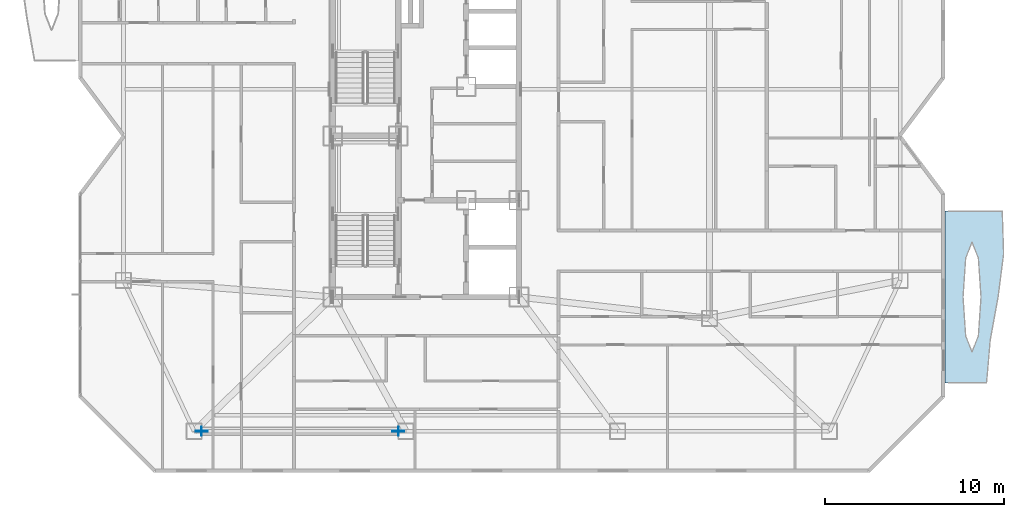
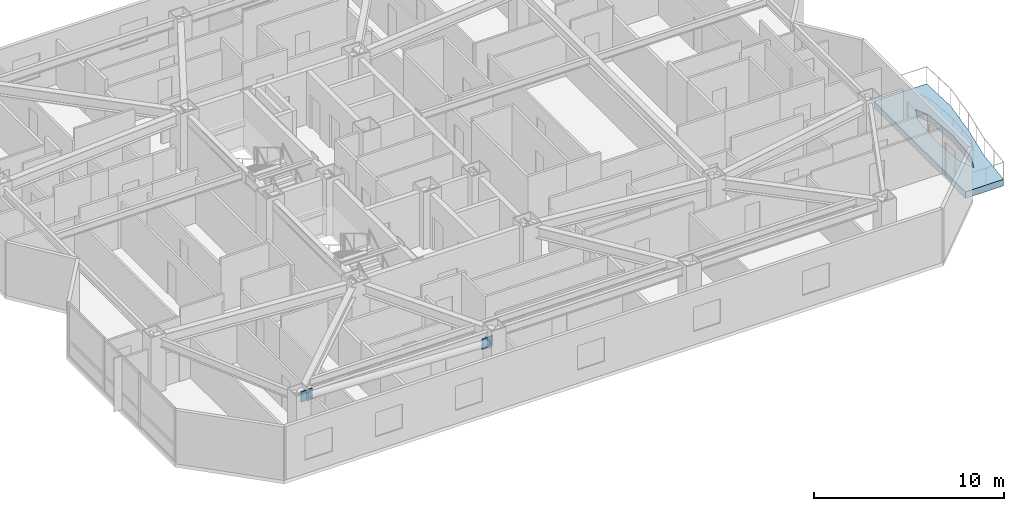
# One storey, part 7 of 16: 4 plates, 1 slab.
"""IFC4 building model written with IfcOpenShell, lengths in metres."""

import ifcopenshell
import ifcopenshell.guid

model = None  # the IFC model being written
_history = None  # IfcOwnerHistory: only IFC2X3 demands one
_inside = {}  # id of a spatial element -> (the spatial element, [elements in it])
_under = {}  # id of a project, library or spatial element -> (it, [spatial elements below it])
_declared = {}  # id of a project -> (the project, [libraries it declares])
_typed = {}  # id of a type object -> (the type object, [elements of that type])
_made_of = {}  # id of a material, layer set ... -> (it, [elements and type objects made of it])


def new_model(schema):
    """Start an empty IFC model of exactly this schema.

    Asked for "IFC4X3", IfcOpenShell would pick the latest addendum, in which some entities
    have other attributes; the version numbers below select the first issue.
    IFC2X3 requires an IfcOwnerHistory on every rooted entity: one is made here for all.
    """
    global model, _history
    if schema == "IFC4X3":
        model = ifcopenshell.file(schema_version=(4, 3, 0, 0))
    else:
        model = ifcopenshell.file(schema=schema)
    _inside.clear()
    _under.clear()
    _declared.clear()
    _typed.clear()
    _made_of.clear()
    _history = None
    if model.schema == "IFC2X3":
        org = make("IfcOrganization", Name="unknown")
        user = make(
            "IfcPersonAndOrganization",
            ThePerson=make("IfcPerson", FamilyName="unknown"),
            TheOrganization=org,
        )
        app = make(
            "IfcApplication",
            ApplicationDeveloper=org,
            Version="unknown",
            ApplicationFullName="unknown",
            ApplicationIdentifier="unknown",
        )
        _history = make(
            "IfcOwnerHistory",
            OwningUser=user,
            OwningApplication=app,
            ChangeAction="ADDED",
            CreationDate=0,
        )
    return model


def make(cls, **values):
    """One entity of the class cls with the attributes given. An attribute that is None is left unset."""
    return model.create_entity(
        cls, **{name: value for name, value in values.items() if value is not None}
    )


def rooted(cls, **values):
    """An entity with a GlobalId (a new one), such as an element, a storey or a relation."""
    return make(cls, GlobalId=ifcopenshell.guid.new(), OwnerHistory=_history, **values)


def si_unit(unit_type, name, prefix=None):
    """IfcSIUnit, for example si_unit("LENGTHUNIT", "METRE", prefix="MILLI")."""
    return make("IfcSIUnit", UnitType=unit_type, Prefix=prefix, Name=name)


def assignment(units):
    """IfcUnitAssignment: the units of a project."""
    return None if units is None else make("IfcUnitAssignment", Units=units)


def point(xyz):
    """IfcCartesianPoint."""
    return None if xyz is None else make("IfcCartesianPoint", Coordinates=xyz)


def direction(xyz):
    """IfcDirection."""
    return None if xyz is None else make("IfcDirection", DirectionRatios=xyz)


def frame(location, z_axis=None, x_axis=None):
    """IfcAxis2Placement3D, a coordinate frame: its origin and axes. An axis left out is left unset."""
    return make(
        "IfcAxis2Placement3D",
        Location=point(location),
        Axis=direction(z_axis),
        RefDirection=direction(x_axis),
    )


def frame_2d(location, x_axis=None):
    """IfcAxis2Placement2D, a coordinate frame in the plane: its origin and x axis."""
    return make(
        "IfcAxis2Placement2D", Location=point(location), RefDirection=direction(x_axis)
    )


def origin():
    """The frame at (0, 0, 0) with its axes left unset."""
    return frame((0.0, 0.0, 0.0))


def origin_2d():
    """The frame at (0, 0) in the plane with its x axis left unset."""
    return frame_2d((0.0, 0.0))


def place(relative_to, where):
    """IfcLocalPlacement: puts the frame where relative to a parent placement (None: the world)."""
    return make(
        "IfcLocalPlacement", PlacementRelTo=relative_to, RelativePlacement=where
    )


def context(
    kind, dimensions, precision=None, world=None, true_north=None, identifier=None
):
    """IfcGeometricRepresentationContext, for example the 3D "Model" context."""
    return make(
        "IfcGeometricRepresentationContext",
        ContextIdentifier=identifier,
        ContextType=kind,
        CoordinateSpaceDimension=dimensions,
        Precision=precision,
        WorldCoordinateSystem=world,
        TrueNorth=true_north,
    )


def subcontext(parent, identifier, kind, view, scale=None):
    """IfcGeometricRepresentationSubContext, for example "Body" below "Model"."""
    return make(
        "IfcGeometricRepresentationSubContext",
        ContextIdentifier=identifier,
        ContextType=kind,
        ParentContext=parent,
        TargetScale=scale,
        TargetView=view,
    )


def project(units=None, contexts=None):
    """IfcProject with its units and contexts."""
    return rooted(
        "IfcProject",
        Name="project",
        RepresentationContexts=contexts,
        UnitsInContext=assignment(units),
    )


def spatial(cls, under=None, at=None, **own):
    """A site, building, storey or space (cls), placed at a placement, below another one or the project."""
    s = rooted(cls, ObjectPlacement=at, **own)
    if under is not None:
        _under.setdefault(under.id(), (under, []))[1].append(s)
    return s


def polyline(points):
    """IfcPolyline through the points."""
    return make("IfcPolyline", Points=[point(p) for p in points])


def profile(cls, at=None, kind="AREA", **sizes):
    """A parametric profile (cls). Its sizes go by their IFC names, for example OverallWidth=200.0."""
    return make(cls, ProfileType=kind, Position=at, **sizes)


def rectangle(**sizes):
    """IfcRectangleProfileDef."""
    return profile("IfcRectangleProfileDef", **sizes)


def outline(outer, holes=None, kind="AREA"):
    """IfcArbitraryClosedProfileDef: a profile drawn as a closed curve; with holes, ...WithVoids."""
    if holes is None:
        return make("IfcArbitraryClosedProfileDef", ProfileType=kind, OuterCurve=outer)
    return make(
        "IfcArbitraryProfileDefWithVoids",
        ProfileType=kind,
        OuterCurve=outer,
        InnerCurves=holes,
    )


def extrude(swept, where, along, depth):
    """IfcExtrudedAreaSolid: the profile swept, set in the frame where, extruded along a direction by depth."""
    return make(
        "IfcExtrudedAreaSolid",
        SweptArea=swept,
        Position=where,
        ExtrudedDirection=direction(along),
        Depth=depth,
    )


def shape(context_of_items, identifier, shape_type, items):
    """IfcShapeRepresentation: the items that make up one representation, for example the "Body"."""
    return make(
        "IfcShapeRepresentation",
        ContextOfItems=context_of_items,
        RepresentationIdentifier=identifier,
        RepresentationType=shape_type,
        Items=items,
    )


def material(Name=None, Category=None):
    """IfcMaterial."""
    return make("IfcMaterial", Name=Name, Category=Category)


def layer(
    of_material, thickness, ventilated=None, Name=None, Category=None, Priority=None
):
    """IfcMaterialLayer: one layer of a wall or slab, of a material (None: an air gap)."""
    return make(
        "IfcMaterialLayer",
        Material=of_material,
        LayerThickness=thickness,
        IsVentilated=ventilated,
        Name=Name,
        Category=Category,
        Priority=Priority,
    )


def layer_set(layers, Name=None):
    """IfcMaterialLayerSet."""
    return make("IfcMaterialLayerSet", MaterialLayers=layers, LayerSetName=Name)


def made_of(thing, what):
    """Note that an element or type object is made of a material, layer set ...; save() writes the relation."""
    if what is not None:
        _made_of.setdefault(what.id(), (what, []))[1].append(thing)
    return thing


def type_object(cls, material=None, **own):
    """A type object (cls), such as IfcWallType, which elements share."""
    return made_of(rooted(cls, **own), material)


def element(
    cls,
    number,
    at=None,
    inside=None,
    cuts=None,
    type_object=None,
    material=None,
    context=None,
    identifier="Body",
    shape_type=None,
    held_by="IfcProductDefinitionShape",
    body=None,
    shapes=None,
    **own,
):
    """One element of the class cls, such as IfcWall. Its Tag is "e" and its number.

    at: its placement. inside: the storey or other place that contains it. cuts: it is an
    opening in that element (IfcRelVoidsElement). A single representation is given by context,
    identifier, shape_type and body (its items); several are given by shapes. held_by: the class
    of the entity that holds the representations. save() writes the other relations.
    """
    e = rooted(cls, Tag="e%d" % number, ObjectPlacement=at, **own)
    if body is not None:
        shapes = [shape(context, identifier, shape_type, body)]
    if shapes is not None:
        e.Representation = make(held_by, Representations=shapes)
    if inside is not None:
        _inside.setdefault(inside.id(), (inside, []))[1].append(e)
    if cuts is not None:
        rooted(
            "IfcRelVoidsElement", RelatingBuildingElement=cuts, RelatedOpeningElement=e
        )
    if type_object is not None:
        _typed.setdefault(type_object.id(), (type_object, []))[1].append(e)
    return made_of(e, material)


def aggregate(whole, parts):
    """IfcRelAggregates: a whole, such as a stair, and the parts it consists of."""
    return rooted("IfcRelAggregates", RelatingObject=whole, RelatedObjects=parts)


def save(model, path):
    """Write the relations noted so far, then the file.

    IfcRelAggregates (storeys below a building ...), IfcRelContainedInSpatialStructure (elements
    in a storey), IfcRelDefinesByType, IfcRelAssociatesMaterial and IfcRelDeclares: one each for
    every whole, place, type object, material and project.
    """
    for whole, parts in _under.values():
        aggregate(whole, parts)
    for where, things in _inside.values():
        rooted(
            "IfcRelContainedInSpatialStructure",
            RelatedElements=things,
            RelatingStructure=where,
        )
    for kind, things in _typed.values():
        rooted("IfcRelDefinesByType", RelatedObjects=things, RelatingType=kind)
    for what, things in _made_of.values():
        rooted("IfcRelAssociatesMaterial", RelatedObjects=things, RelatingMaterial=what)
    for by, libraries in _declared.values():
        rooted("IfcRelDeclares", RelatingContext=by, RelatedDefinitions=libraries)
    model.write(path)


model = new_model("IFC4")

# Units and contexts
model_context = context("Model", 3, precision=1e-05, world=origin(), true_north=direction((0.0, 1.0)))
body_context = subcontext(model_context, "Body", "Model", "MODEL_VIEW")
ifc_project = project(units=[si_unit("LENGTHUNIT", "METRE"), si_unit("AREAUNIT", "SQUARE_METRE"), si_unit("VOLUMEUNIT", "CUBIC_METRE"), si_unit("PLANEANGLEUNIT", "RADIAN"), si_unit("MASSUNIT", "GRAM", prefix="KILO")], contexts=[model_context])

# Site, building, storey
site_placement = place(None, origin())
site = spatial("IfcSite", under=ifc_project, at=site_placement, CompositionType="ELEMENT")
building_placement = place(site_placement, origin())
building = spatial("IfcBuilding", under=site, at=building_placement, Name="Khamvora Tower", CompositionType="ELEMENT")
storey_placement = place(building_placement, frame((0.0, 0.0, 170.5)))
storey = spatial("IfcBuildingStorey", under=building, at=storey_placement, Name="L43", CompositionType="ELEMENT", Elevation=170.5)

# Plates
ifc_material_1 = material(Name="Steel S355", Category="steel")
ifc_layer_1 = layer(ifc_material_1, 0.02490234375)
ifc_layer_set_1 = layer_set([ifc_layer_1], Name="Steel S355")
plate_type_1 = type_object("IfcPlateType", Name="PL-CAP-25", PredefinedType="SHEET", material=ifc_layer_set_1)
for number, where, z_axis, x_axis, name in (
    (1, (32.6650390625, 11.5, 2.4384765625), (0.0, 0.0, 1.0), (-1.0, 0.0, 0.0), "L43 hollow section steel end cap plate 0952"),
    (2, (21.66796875, 11.5, 2.886474609375), (0.0, 0.0, 1.0), (-1.0, 0.0, 0.0), "L43 hollow section steel end cap plate 0953"),
):
    element("IfcPlate", number, at=place(storey_placement, frame(where, z_axis=z_axis, x_axis=x_axis)), inside=storey, type_object=plate_type_1, Name=name, PredefinedType="SHEET", context=body_context, shape_type="SweptSolid", body=[
        extrude(rectangle(XDim=0.02490234375, YDim=0.51708984375, at=origin_2d()), origin(), (0.0, 0.0, 1.0), 0.51708984375),
    ])
ifc_material_2 = material(Name="Steel S460", Category="steel")
ifc_layer_2 = layer(ifc_material_2, 0.0400390625)
ifc_layer_set_2 = layer_set([ifc_layer_2], Name="Steel S460")
plate_type_2 = type_object("IfcPlateType", Name="PLT-GUS-40", PredefinedType="SHEET", material=ifc_layer_set_2)
for number, where, z_axis, x_axis, name in (
    (3, (32.653076171875, 11.5, 2.35791015625), (0.0, 0.0, 1.0), (1.0, 0.0, 0.0), "L43 brace connection node gusset plate 0289"),
    (4, (21.679931640625, 11.5, 2.80419921875), (0.0, 0.0, 1.0), (1.0, 0.0, 0.0), "L43 brace connection node gusset plate 0290"),
):
    element("IfcPlate", number, at=place(storey_placement, frame(where, z_axis=z_axis, x_axis=x_axis)), inside=storey, type_object=plate_type_2, Name=name, PredefinedType="SHEET", context=body_context, shape_type="SweptSolid", body=[
        extrude(rectangle(XDim=0.679931640625, YDim=0.0400390625, at=origin_2d()), origin(), (0.0, 0.0, 1.0), 0.679931640625),
    ])

# Slab
ifc_material_3 = material(Name="Concrete C40/50", Category="concrete")
ifc_layer_3 = layer(ifc_material_3, 0.419921875)
ifc_layer_set_3 = layer_set([ifc_layer_3], Name="Concrete C40/50")
slab_type = type_object("IfcSlabType", Name="SLB-GRD-420", PredefinedType="FLOOR", material=ifc_layer_set_3)
slab_placement = place(storey_placement, frame((0.0, 0.0, -0.419921875)))
element("IfcSlab", 5, at=slab_placement, inside=storey, type_object=slab_type, Name="L43 external lens gallery slab EL1", PredefinedType="FLOOR", context=body_context, shape_type="SweptSolid", body=[
    extrude(outline(polyline([(65.52490234375, 14.199951171875), (65.73193359375, 16.60009765625), (66.169921875, 19.0), (66.47802734375, 21.39990234375), (66.403076171875, 23.800048828125), (63.199951171875, 23.800048828125), (63.199951171875, 14.199951171875), (65.52490234375, 14.199951171875)]), holes=[polyline([(65.218994140625, 19.0), (65.071044921875, 21.172119140625), (64.715087890625, 22.072021484375), (64.35888671875, 21.172119140625), (64.2109375, 19.0), (64.35888671875, 16.827880859375), (64.715087890625, 15.927978515625), (65.071044921875, 16.827880859375), (65.218994140625, 19.0)])]), origin(), (0.0, 0.0, 1.0), 0.419921875),
])

save(model, "model.ifc")
